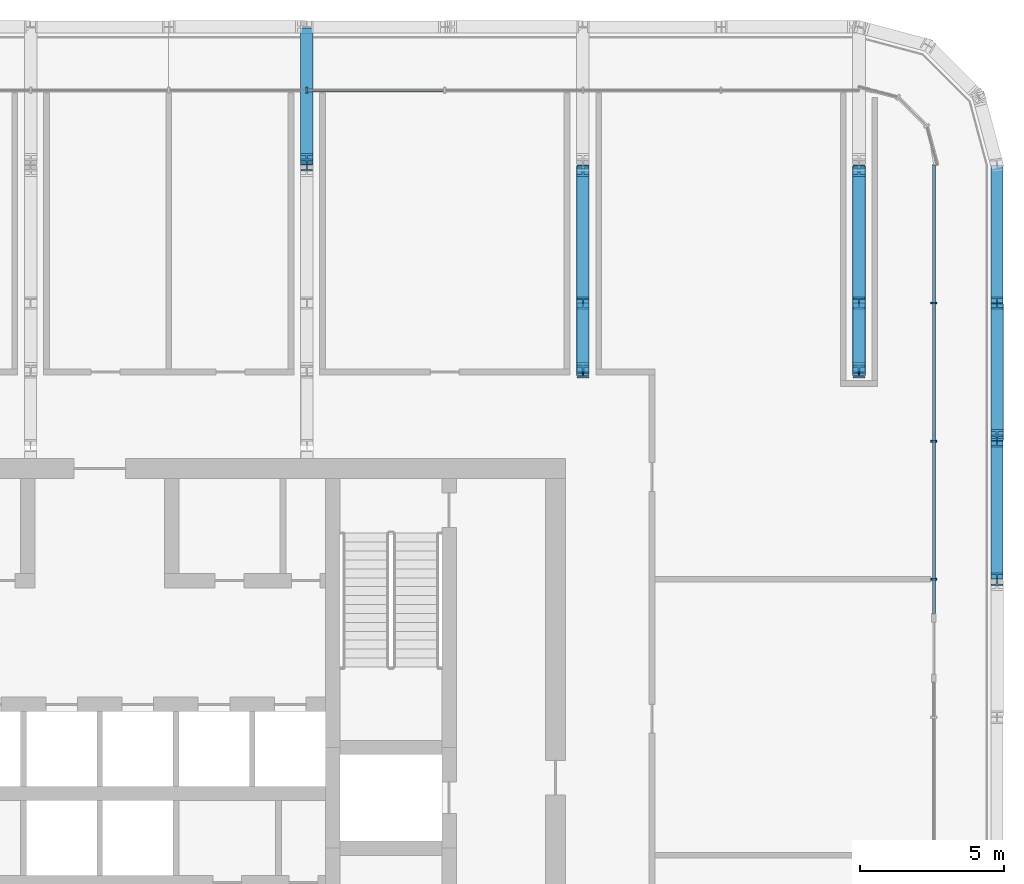
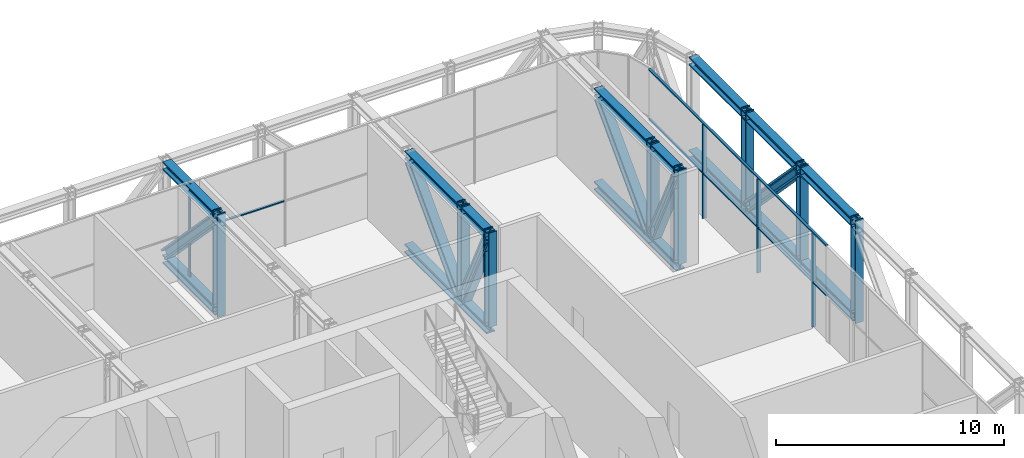
# One storey, part 9 of 22: 40 members, 2 elements without a shape of their own.
"""IFC4 building model written with IfcOpenShell, lengths in metres."""

from ifc_helpers import new_model, si_unit, direction, frame, origin, origin_2d, place, context, subcontext, project, spatial, rectangle, i_section, extrude, material, layer, layer_set, material_profile, profile_set, type_object, element, aggregate, save


model = new_model("IFC4")

# Units and contexts
model_context = context("Model", 3, precision=1e-05, world=origin(), true_north=direction((0.0, 1.0)))
body_context = subcontext(model_context, "Body", "Model", "MODEL_VIEW")
ifc_project = project(units=[si_unit("LENGTHUNIT", "METRE"), si_unit("AREAUNIT", "SQUARE_METRE"), si_unit("VOLUMEUNIT", "CUBIC_METRE"), si_unit("PLANEANGLEUNIT", "RADIAN"), si_unit("MASSUNIT", "GRAM", prefix="KILO")], contexts=[model_context])

# Site, building, storey
site_placement = place(None, origin())
site = spatial("IfcSite", under=ifc_project, at=site_placement, CompositionType="ELEMENT")
building_placement = place(site_placement, origin())
building = spatial("IfcBuilding", under=site, at=building_placement, Name="Madar Terraces", CompositionType="ELEMENT")
storey_placement = place(building_placement, frame((0.0, 0.0, 203.39990234375)))
storey = spatial("IfcBuildingStorey", under=building, at=storey_placement, Name="L53", CompositionType="ELEMENT", Elevation=203.39990234375)

# Members
ifc_material_1 = material(Name="Steel ASTM A992 Grade 50", Category="steel")
ifc_material_profile_1 = material_profile(ifc_material_1, i_section(OverallWidth=0.421630859375, OverallDepth=0.46484375, WebThickness=0.044921875, FlangeThickness=0.072509765625, at=origin_2d()), Name="W14x398")
ifc_profile_set_1 = profile_set([ifc_material_profile_1], Name="Steel ASTM A992 Grade 50")
member_type_1 = type_object("IfcMemberType", Name="BC7 W14x398", PredefinedType="CHORD", material=ifc_profile_set_1)
member_1_placement = place(storey_placement, frame((62.39990234375, 33.60009765625, -0.1875), z_axis=(0.0, 1.0, 0.0), x_axis=(-1.0, 0.0, 0.0)))
element("IfcMember", 1, at=member_1_placement, inside=storey, type_object=member_type_1, Name="Exoskeleton truss ring bottom chord BC7", PredefinedType="CHORD", context=body_context, shape_type="SweptSolid", body=[
    extrude(i_section(OverallWidth=0.421630859375, OverallDepth=0.46484375, WebThickness=0.044921875, FlangeThickness=0.072509765625, at=origin_2d()), origin(), (0.0, 0.0, 1.0), 4.7998046875),
])
for number, where, z_axis, x_axis, name in (
    (2, (62.39990234375, 38.39990234375, -0.1875), (0.0, 1.0, 0.0), (-1.0, 0.0, 0.0), "Exoskeleton truss ring bottom chord BC7"),
    (3, (62.39990234375, 43.199951171875, -0.1875), (0.0, 1.0, 0.0), (-1.0, 0.0, 0.0), "Exoskeleton truss ring bottom chord BC7"),
):
    element("IfcMember", number, at=place(storey_placement, frame(where, z_axis=z_axis, x_axis=x_axis)), inside=storey, type_object=member_type_1, Name=name, PredefinedType="CHORD", context=body_context, shape_type="SweptSolid", body=[
        extrude(i_section(OverallWidth=0.421630859375, OverallDepth=0.46484375, WebThickness=0.044921875, FlangeThickness=0.072509765625, at=origin_2d()), origin(), (0.0, 0.0, 1.0), 4.800048828125),
    ])
member_2_placement = place(storey_placement, frame((38.39990234375, 52.589111328125, -0.1875), z_axis=(0.0, -1.0, 0.0), x_axis=(1.0, 0.0, 0.0)))
element("IfcMember", 4, at=member_2_placement, inside=storey, type_object=member_type_1, Name="Exoskeleton truss cross N38.4 bottom chord BC7", PredefinedType="CHORD", context=body_context, shape_type="SweptSolid", body=[
    extrude(i_section(OverallWidth=0.421630859375, OverallDepth=0.46484375, WebThickness=0.044921875, FlangeThickness=0.072509765625, at=origin_2d()), origin(), (0.0, 0.0, 1.0), 4.589111328125),
])
member_3_placement = place(storey_placement, frame((48.0, 48.0, -0.1875), z_axis=(0.0, -1.0, 0.0), x_axis=(1.0, 0.0, 0.0)))
element("IfcMember", 5, at=member_3_placement, inside=storey, type_object=member_type_1, Name="Exoskeleton truss cross N48 bottom chord BC7", PredefinedType="CHORD", context=body_context, shape_type="SweptSolid", body=[
    extrude(i_section(OverallWidth=0.421630859375, OverallDepth=0.46484375, WebThickness=0.044921875, FlangeThickness=0.072509765625, at=origin_2d()), origin(), (0.0, 0.0, 1.0), 4.800048828125),
])
member_4_placement = place(storey_placement, frame((48.0, 43.199951171875, -0.1875), z_axis=(0.0, -1.0, 0.0), x_axis=(1.0, 0.0, 0.0)))
element("IfcMember", 6, at=member_4_placement, inside=storey, type_object=member_type_1, Name="Exoskeleton truss cross N48 bottom chord BC7", PredefinedType="CHORD", context=body_context, shape_type="SweptSolid", body=[
    extrude(i_section(OverallWidth=0.421630859375, OverallDepth=0.46484375, WebThickness=0.044921875, FlangeThickness=0.072509765625, at=origin_2d()), origin(), (0.0, 0.0, 1.0), 2.39990234375),
])
member_5_placement = place(storey_placement, frame((57.60009765625, 48.0, -0.1875), z_axis=(0.0, -1.0, 0.0), x_axis=(1.0, 0.0, 0.0)))
element("IfcMember", 7, at=member_5_placement, inside=storey, type_object=member_type_1, Name="Exoskeleton truss cross N57.6 bottom chord BC7", PredefinedType="CHORD", context=body_context, shape_type="SweptSolid", body=[
    extrude(i_section(OverallWidth=0.421630859375, OverallDepth=0.46484375, WebThickness=0.044921875, FlangeThickness=0.072509765625, at=origin_2d()), origin(), (0.0, 0.0, 1.0), 4.800048828125),
])
member_6_placement = place(storey_placement, frame((57.60009765625, 43.199951171875, -0.1875), z_axis=(0.0, -1.0, 0.0), x_axis=(1.0, 0.0, 0.0)))
element("IfcMember", 8, at=member_6_placement, inside=storey, type_object=member_type_1, Name="Exoskeleton truss cross N57.6 bottom chord BC7", PredefinedType="CHORD", context=body_context, shape_type="SweptSolid", body=[
    extrude(i_section(OverallWidth=0.421630859375, OverallDepth=0.46484375, WebThickness=0.044921875, FlangeThickness=0.072509765625, at=origin_2d()), origin(), (0.0, 0.0, 1.0), 2.39990234375),
])

# Curtain wall, members
ifc_material_2 = material(Name="Glass, ceramic frit dark grey, with black aluminium frame", Category="aluminium")
ifc_layer = layer(ifc_material_2, 0.199951171875)
ifc_layer_set = layer_set([ifc_layer], Name="Facade curtain wall, tall glazing")
curtain_wall_type = type_object("IfcCurtainWallType", Name="Facade curtain wall, tall glazing", PredefinedType="NOTDEFINED", material=ifc_layer_set)
curtain_wall_1_placement = place(storey_placement, origin())
curtain_wall_1 = element("IfcCurtainWall", 9, at=curtain_wall_1_placement, inside=storey, type_object=curtain_wall_type, Name="Outer skin curtain wall east bay 1", PredefinedType="NOTDEFINED")
ifc_material_3 = material(Name="Aluminium, black anodised", Category="aluminium")
ifc_material_profile_2 = material_profile(ifc_material_3, rectangle(XDim=0.199951171875, YDim=0.06005859375, at=origin_2d()), Name="Facade mullion 60x200")
ifc_profile_set_2 = profile_set([ifc_material_profile_2], Name="Aluminium, black anodised")
member_type_2 = type_object("IfcMemberType", Name="Facade mullion 60x200", PredefinedType="MULLION", material=ifc_profile_set_2)
member_7_placement = place(storey_placement, frame((60.199951171875, 33.60009765625, 0.0), z_axis=(0.0, 0.0, 1.0), x_axis=(-1.0, 0.0, 0.0)))
member_7 = element("IfcMember", 10, at=member_7_placement, type_object=member_type_2, Name="Mullion 5", PredefinedType="MULLION", context=body_context, shape_type="SweptSolid", body=[
    extrude(rectangle(XDim=0.199951171875, YDim=0.06005859375, at=origin_2d()), origin(), (0.0, 0.0, 1.0), 5.0400390625),
])
member_8_placement = place(storey_placement, frame((60.199951171875, 38.39990234375, 0.0), z_axis=(0.0, 0.0, 1.0), x_axis=(-1.0, 0.0, 0.0)))
member_8 = element("IfcMember", 11, at=member_8_placement, type_object=member_type_2, Name="Mullion 6", PredefinedType="MULLION", context=body_context, shape_type="SweptSolid", body=[
    extrude(rectangle(XDim=0.199951171875, YDim=0.06005859375, at=origin_2d()), origin(), (0.0, 0.0, 1.0), 5.0400390625),
])
member_9_placement = place(storey_placement, frame((60.199951171875, 43.199951171875, 0.0), z_axis=(0.0, 0.0, 1.0), x_axis=(-1.0, 0.0, 0.0)))
member_9 = element("IfcMember", 12, at=member_9_placement, type_object=member_type_2, Name="Mullion 7", PredefinedType="MULLION", context=body_context, shape_type="SweptSolid", body=[
    extrude(rectangle(XDim=0.199951171875, YDim=0.06005859375, at=origin_2d()), origin(), (0.0, 0.0, 1.0), 5.0400390625),
])

# Curtain wall, member
curtain_wall_2_placement = place(storey_placement, origin())
curtain_wall_2 = element("IfcCurtainWall", 13, at=curtain_wall_2_placement, inside=storey, type_object=curtain_wall_type, Name="Outer skin curtain wall north bay 1", PredefinedType="NOTDEFINED")
member_10_placement = place(storey_placement, frame((38.39990234375, 50.60009765625, 0.0), z_axis=(0.0, 0.0, 1.0), x_axis=(0.0, -1.0, 0.0)))
member_10 = element("IfcMember", 14, at=member_10_placement, type_object=member_type_2, Name="Mullion 4", PredefinedType="MULLION", context=body_context, shape_type="SweptSolid", body=[
    extrude(rectangle(XDim=0.199951171875, YDim=0.06005859375, at=origin_2d()), origin(), (0.0, 0.0, 1.0), 5.0400390625),
])

# Member
ifc_material_4 = material(Name="Aluminium, black anodised", Category="aluminium")
ifc_material_profile_3 = material_profile(ifc_material_4, rectangle(XDim=0.1201171875, YDim=0.06005859375, at=origin_2d()), Name="Facade transom 60x120")
ifc_profile_set_3 = profile_set([ifc_material_profile_3], Name="Aluminium, black anodised")
member_type_3 = type_object("IfcMemberType", Name="Facade transom 60x120", PredefinedType="USERDEFINED", material=ifc_profile_set_3)
member_11_placement = place(storey_placement, frame((60.199951171875, 32.39990234375, 5.070068359375), z_axis=(0.0, 1.0, 0.0), x_axis=(-1.0, 0.0, 0.0)))
member_11 = element("IfcMember", 15, at=member_11_placement, type_object=member_type_3, Name="Transom 7", ObjectType="TRANSOM", PredefinedType="USERDEFINED", context=body_context, shape_type="SweptSolid", body=[
    extrude(rectangle(XDim=0.1201171875, YDim=0.06005859375, at=origin_2d()), origin(), (0.0, 0.0, 1.0), 15.60009765625),
])

member_12_placement = place(storey_placement, frame((60.199951171875, 32.39990234375, 2.400146484375), z_axis=(0.0, 1.0, 0.0), x_axis=(-1.0, 0.0, 0.0)))
member_12 = element("IfcMember", 16, at=member_12_placement, type_object=member_type_3, Name="Transom 8", ObjectType="TRANSOM", PredefinedType="USERDEFINED", context=body_context, shape_type="SweptSolid", body=[
    extrude(rectangle(XDim=0.1201171875, YDim=0.06005859375, at=origin_2d()), origin(), (0.0, 0.0, 1.0), 1.170166015625),
])

member_13_placement = place(storey_placement, frame((60.199951171875, 33.6298828125, 2.400146484375), z_axis=(0.0, 1.0, 0.0), x_axis=(-1.0, 0.0, 0.0)))
member_13 = element("IfcMember", 17, at=member_13_placement, type_object=member_type_3, Name="Transom 9", ObjectType="TRANSOM", PredefinedType="USERDEFINED", context=body_context, shape_type="SweptSolid", body=[
    extrude(rectangle(XDim=0.1201171875, YDim=0.06005859375, at=origin_2d()), origin(), (0.0, 0.0, 1.0), 4.740234375),
])

member_14_placement = place(storey_placement, frame((60.199951171875, 38.429931640625, 2.400146484375), z_axis=(0.0, 1.0, 0.0), x_axis=(-1.0, 0.0, 0.0)))
member_14 = element("IfcMember", 18, at=member_14_placement, type_object=member_type_3, Name="Transom 10", ObjectType="TRANSOM", PredefinedType="USERDEFINED", context=body_context, shape_type="SweptSolid", body=[
    extrude(rectangle(XDim=0.1201171875, YDim=0.06005859375, at=origin_2d()), origin(), (0.0, 0.0, 1.0), 4.739990234375),
])

member_15_placement = place(storey_placement, frame((60.199951171875, 43.22998046875, 2.400146484375), z_axis=(0.0, 1.0, 0.0), x_axis=(-1.0, 0.0, 0.0)))
member_15 = element("IfcMember", 19, at=member_15_placement, type_object=member_type_3, Name="Transom 11", ObjectType="TRANSOM", PredefinedType="USERDEFINED", context=body_context, shape_type="SweptSolid", body=[
    extrude(rectangle(XDim=0.1201171875, YDim=0.06005859375, at=origin_2d()), origin(), (0.0, 0.0, 1.0), 4.77001953125),
])

aggregate(curtain_wall_1, [member_7, member_8, member_9, member_11, member_12, member_13, member_14, member_15])

member_16_placement = place(storey_placement, frame((43.169921875, 50.60009765625, 2.400146484375), z_axis=(-1.0, 0.0, 0.0), x_axis=(0.0, -1.0, 0.0)))
member_16 = element("IfcMember", 20, at=member_16_placement, type_object=member_type_3, Name="Transom 5", ObjectType="TRANSOM", PredefinedType="USERDEFINED", context=body_context, shape_type="SweptSolid", body=[
    extrude(rectangle(XDim=0.1201171875, YDim=0.06005859375, at=origin_2d()), origin(), (0.0, 0.0, 1.0), 4.739990234375),
])

aggregate(curtain_wall_2, [member_10, member_16])

# Members
ifc_material_5 = material(Name="Steel ASTM A992 Grade 50", Category="steel")
ifc_material_profile_4 = material_profile(ifc_material_5, i_section(OverallWidth=0.41650390625, OverallDepth=0.444580078125, WebThickness=0.0390625, FlangeThickness=0.062744140625, at=origin_2d()), Name="W14x342")
ifc_profile_set_4 = profile_set([ifc_material_profile_4], Name="Steel ASTM A992 Grade 50")
member_type_4 = type_object("IfcMemberType", Name="TC7 W14x342", PredefinedType="CHORD", material=ifc_profile_set_4)
member_17_placement = place(storey_placement, frame((62.39990234375, 33.60009765625, 4.807861328125), z_axis=(0.0, 1.0, 0.0), x_axis=(-1.0, 0.0, 0.0)))
element("IfcMember", 21, at=member_17_placement, inside=storey, type_object=member_type_4, Name="Exoskeleton truss ring top chord TC7", PredefinedType="CHORD", context=body_context, shape_type="SweptSolid", body=[
    extrude(i_section(OverallWidth=0.41650390625, OverallDepth=0.444580078125, WebThickness=0.0390625, FlangeThickness=0.062744140625, at=origin_2d()), origin(), (0.0, 0.0, 1.0), 4.7998046875),
])
for number, where, z_axis, x_axis, name in (
    (22, (62.39990234375, 38.39990234375, 4.807861328125), (0.0, 1.0, 0.0), (-1.0, 0.0, 0.0), "Exoskeleton truss ring top chord TC7"),
    (23, (62.39990234375, 43.199951171875, 4.807861328125), (0.0, 1.0, 0.0), (-1.0, 0.0, 0.0), "Exoskeleton truss ring top chord TC7"),
):
    element("IfcMember", number, at=place(storey_placement, frame(where, z_axis=z_axis, x_axis=x_axis)), inside=storey, type_object=member_type_4, Name=name, PredefinedType="CHORD", context=body_context, shape_type="SweptSolid", body=[
        extrude(i_section(OverallWidth=0.41650390625, OverallDepth=0.444580078125, WebThickness=0.0390625, FlangeThickness=0.062744140625, at=origin_2d()), origin(), (0.0, 0.0, 1.0), 4.800048828125),
    ])
member_18_placement = place(storey_placement, frame((38.39990234375, 52.591796875, 4.807861328125), z_axis=(0.0, -1.0, 0.0), x_axis=(1.0, 0.0, 0.0)))
element("IfcMember", 24, at=member_18_placement, inside=storey, type_object=member_type_4, Name="Exoskeleton truss cross N38.4 top chord TC7", PredefinedType="CHORD", context=body_context, shape_type="SweptSolid", body=[
    extrude(i_section(OverallWidth=0.41650390625, OverallDepth=0.444580078125, WebThickness=0.0390625, FlangeThickness=0.062744140625, at=origin_2d()), origin(), (0.0, 0.0, 1.0), 4.591796875),
])
member_19_placement = place(storey_placement, frame((48.0, 48.0, 4.807861328125), z_axis=(0.0, -1.0, 0.0), x_axis=(1.0, 0.0, 0.0)))
element("IfcMember", 25, at=member_19_placement, inside=storey, type_object=member_type_4, Name="Exoskeleton truss cross N48 top chord TC7", PredefinedType="CHORD", context=body_context, shape_type="SweptSolid", body=[
    extrude(i_section(OverallWidth=0.41650390625, OverallDepth=0.444580078125, WebThickness=0.0390625, FlangeThickness=0.062744140625, at=origin_2d()), origin(), (0.0, 0.0, 1.0), 4.800048828125),
])
member_20_placement = place(storey_placement, frame((48.0, 43.199951171875, 4.807861328125), z_axis=(0.0, -1.0, 0.0), x_axis=(1.0, 0.0, 0.0)))
element("IfcMember", 26, at=member_20_placement, inside=storey, type_object=member_type_4, Name="Exoskeleton truss cross N48 top chord TC7", PredefinedType="CHORD", context=body_context, shape_type="SweptSolid", body=[
    extrude(i_section(OverallWidth=0.41650390625, OverallDepth=0.444580078125, WebThickness=0.0390625, FlangeThickness=0.062744140625, at=origin_2d()), origin(), (0.0, 0.0, 1.0), 2.39990234375),
])
member_21_placement = place(storey_placement, frame((57.60009765625, 48.0, 4.807861328125), z_axis=(0.0, -1.0, 0.0), x_axis=(1.0, 0.0, 0.0)))
element("IfcMember", 27, at=member_21_placement, inside=storey, type_object=member_type_4, Name="Exoskeleton truss cross N57.6 top chord TC7", PredefinedType="CHORD", context=body_context, shape_type="SweptSolid", body=[
    extrude(i_section(OverallWidth=0.41650390625, OverallDepth=0.444580078125, WebThickness=0.0390625, FlangeThickness=0.062744140625, at=origin_2d()), origin(), (0.0, 0.0, 1.0), 4.800048828125),
])
member_22_placement = place(storey_placement, frame((57.60009765625, 43.199951171875, 4.807861328125), z_axis=(0.0, -1.0, 0.0), x_axis=(1.0, 0.0, 0.0)))
element("IfcMember", 28, at=member_22_placement, inside=storey, type_object=member_type_4, Name="Exoskeleton truss cross N57.6 top chord TC7", PredefinedType="CHORD", context=body_context, shape_type="SweptSolid", body=[
    extrude(i_section(OverallWidth=0.41650390625, OverallDepth=0.444580078125, WebThickness=0.0390625, FlangeThickness=0.062744140625, at=origin_2d()), origin(), (0.0, 0.0, 1.0), 2.39990234375),
])
ifc_material_6 = material(Name="Steel ASTM A992 Grade 50", Category="steel")
ifc_material_profile_5 = material_profile(ifc_material_6, i_section(OverallWidth=0.436767578125, OverallDepth=0.51318359375, WebThickness=0.060546875, FlangeThickness=0.096923828125, at=origin_2d()), Name="W14x550")
ifc_profile_set_5 = profile_set([ifc_material_profile_5], Name="Steel ASTM A992 Grade 50")
member_type_5 = type_object("IfcMemberType", Name="TD7 W14x550", PredefinedType="BRACE", material=ifc_profile_set_5)
for number, where, z_axis, x_axis, name in (
    (29, (62.39990234375, 38.613525390625, 4.585693359375), (0.0, 0.692853764203, -0.721078124359), (-1.0, 0.0, 0.0), "Exoskeleton truss ring diagonal TD7"),
    (30, (38.39990234375, 52.57666015625, 0.044921875), (0.0, -0.692853764203, 0.721078124359), (1.0, 0.0, 0.0), "Exoskeleton truss cross N38.4 diagonal TD7"),
    (31, (48.0, 47.786376953125, 4.585693359375), (0.0, -0.692853764203, -0.721078124359), (1.0, 0.0, 0.0), "Exoskeleton truss cross N48 diagonal TD7"),
):
    element("IfcMember", number, at=place(storey_placement, frame(where, z_axis=z_axis, x_axis=x_axis)), inside=storey, type_object=member_type_5, Name=name, PredefinedType="BRACE", context=body_context, shape_type="SweptSolid", body=[
        extrude(i_section(OverallWidth=0.436767578125, OverallDepth=0.51318359375, WebThickness=0.060546875, FlangeThickness=0.096923828125, at=origin_2d()), origin(), (0.0, 0.0, 1.0), 6.297119140625),
    ])
member_23_placement = place(storey_placement, frame((48.0, 43.08837890625, 0.044921875), z_axis=(0.0, -0.433065047911, 0.901362670781), x_axis=(1.0, 0.0, 0.0)))
element("IfcMember", 32, at=member_23_placement, inside=storey, type_object=member_type_5, Name="Exoskeleton truss cross N48 diagonal TD7", PredefinedType="BRACE", context=body_context, shape_type="SweptSolid", body=[
    extrude(i_section(OverallWidth=0.436767578125, OverallDepth=0.51318359375, WebThickness=0.060546875, FlangeThickness=0.096923828125, at=origin_2d()), origin(), (0.0, 0.0, 1.0), 5.03759765625),
])
member_24_placement = place(storey_placement, frame((57.60009765625, 47.786376953125, 4.585693359375), z_axis=(0.0, -0.692853764203, -0.721078124359), x_axis=(1.0, 0.0, 0.0)))
element("IfcMember", 33, at=member_24_placement, inside=storey, type_object=member_type_5, Name="Exoskeleton truss cross N57.6 diagonal TD7", PredefinedType="BRACE", context=body_context, shape_type="SweptSolid", body=[
    extrude(i_section(OverallWidth=0.436767578125, OverallDepth=0.51318359375, WebThickness=0.060546875, FlangeThickness=0.096923828125, at=origin_2d()), origin(), (0.0, 0.0, 1.0), 6.297119140625),
])
member_25_placement = place(storey_placement, frame((57.60009765625, 43.08837890625, 0.044921875), z_axis=(0.0, -0.433065047911, 0.901362670781), x_axis=(1.0, 0.0, 0.0)))
element("IfcMember", 34, at=member_25_placement, inside=storey, type_object=member_type_5, Name="Exoskeleton truss cross N57.6 diagonal TD7", PredefinedType="BRACE", context=body_context, shape_type="SweptSolid", body=[
    extrude(i_section(OverallWidth=0.436767578125, OverallDepth=0.51318359375, WebThickness=0.060546875, FlangeThickness=0.096923828125, at=origin_2d()), origin(), (0.0, 0.0, 1.0), 5.03759765625),
])
ifc_material_7 = material(Name="Steel ASTM A992 Grade 50", Category="steel")
ifc_material_profile_6 = material_profile(ifc_material_7, i_section(OverallWidth=0.408935546875, OverallDepth=0.424072265625, WebThickness=0.03271484375, FlangeThickness=0.052490234375, at=origin_2d()), Name="W14x283")
ifc_profile_set_6 = profile_set([ifc_material_profile_6], Name="Steel ASTM A992 Grade 50")
member_type_6 = type_object("IfcMemberType", Name="TV7 W14x283", PredefinedType="POST", material=ifc_profile_set_6)
member_26_placement = place(storey_placement, frame((62.39990234375, 33.60009765625, -0.419921875), z_axis=(0.0, 0.0, 1.0), x_axis=(-1.0, 0.0, 0.0)))
element("IfcMember", 35, at=member_26_placement, inside=storey, type_object=member_type_6, Name="Exoskeleton truss ring post TV7", PredefinedType="POST", context=body_context, shape_type="SweptSolid", body=[
    extrude(i_section(OverallWidth=0.408935546875, OverallDepth=0.424072265625, WebThickness=0.03271484375, FlangeThickness=0.052490234375, at=origin_2d()), origin(), (0.0, 0.0, 1.0), 5.52001953125),
])
member_27_placement = place(storey_placement, frame((62.39990234375, 38.39990234375, 0.044921875), z_axis=(0.0, 0.0, 1.0), x_axis=(-1.0, 0.0, 0.0)))
element("IfcMember", 36, at=member_27_placement, inside=storey, type_object=member_type_6, Name="Exoskeleton truss ring post TV7", PredefinedType="POST", context=body_context, shape_type="SweptSolid", body=[
    extrude(i_section(OverallWidth=0.408935546875, OverallDepth=0.424072265625, WebThickness=0.03271484375, FlangeThickness=0.052490234375, at=origin_2d()), origin(), (0.0, 0.0, 1.0), 5.05517578125),
])
for number, where, z_axis, x_axis, name in (
    (37, (62.39990234375, 43.199951171875, -0.419921875), (0.0, 0.0, 1.0), (-1.0, 0.0, 0.0), "Exoskeleton truss ring post TV7"),
    (38, (38.39990234375, 48.0, -0.419921875), (0.0, 0.0, 1.0), (-1.0, 0.0, 0.0), "Exoskeleton truss cross N38.4 post TV7"),
):
    element("IfcMember", number, at=place(storey_placement, frame(where, z_axis=z_axis, x_axis=x_axis)), inside=storey, type_object=member_type_6, Name=name, PredefinedType="POST", context=body_context, shape_type="SweptSolid", body=[
        extrude(i_section(OverallWidth=0.408935546875, OverallDepth=0.424072265625, WebThickness=0.03271484375, FlangeThickness=0.052490234375, at=origin_2d()), origin(), (0.0, 0.0, 1.0), 5.52001953125),
    ])
for number, where, z_axis, x_axis, name in (
    (39, (48.0, 43.199951171875, 0.044921875), (0.0, 0.0, 1.0), (-1.0, 0.0, 0.0), "Exoskeleton truss cross N48 post TV7"),
    (40, (48.0, 40.800048828125, 0.044921875), (0.0, 0.0, 1.0), (-1.0, 0.0, 0.0), "Exoskeleton truss cross N48 post TV7"),
    (41, (57.60009765625, 43.199951171875, 0.044921875), (0.0, 0.0, 1.0), (-1.0, 0.0, 0.0), "Exoskeleton truss cross N57.6 post TV7"),
    (42, (57.60009765625, 40.800048828125, 0.044921875), (0.0, 0.0, 1.0), (-1.0, 0.0, 0.0), "Exoskeleton truss cross N57.6 post TV7"),
):
    element("IfcMember", number, at=place(storey_placement, frame(where, z_axis=z_axis, x_axis=x_axis)), inside=storey, type_object=member_type_6, Name=name, PredefinedType="POST", context=body_context, shape_type="SweptSolid", body=[
        extrude(i_section(OverallWidth=0.408935546875, OverallDepth=0.424072265625, WebThickness=0.03271484375, FlangeThickness=0.052490234375, at=origin_2d()), origin(), (0.0, 0.0, 1.0), 5.05517578125),
    ])

save(model, "model.ifc")
